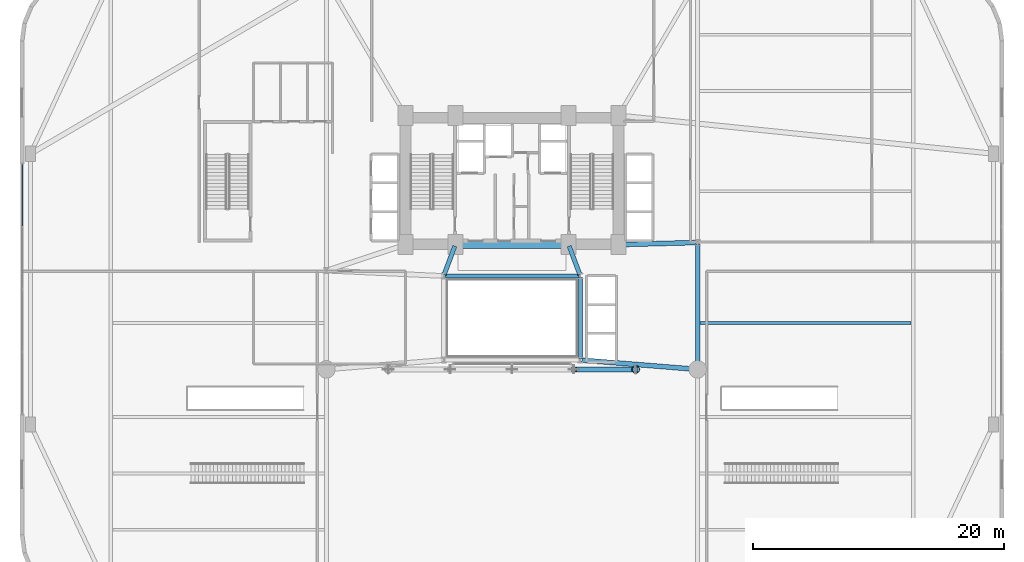
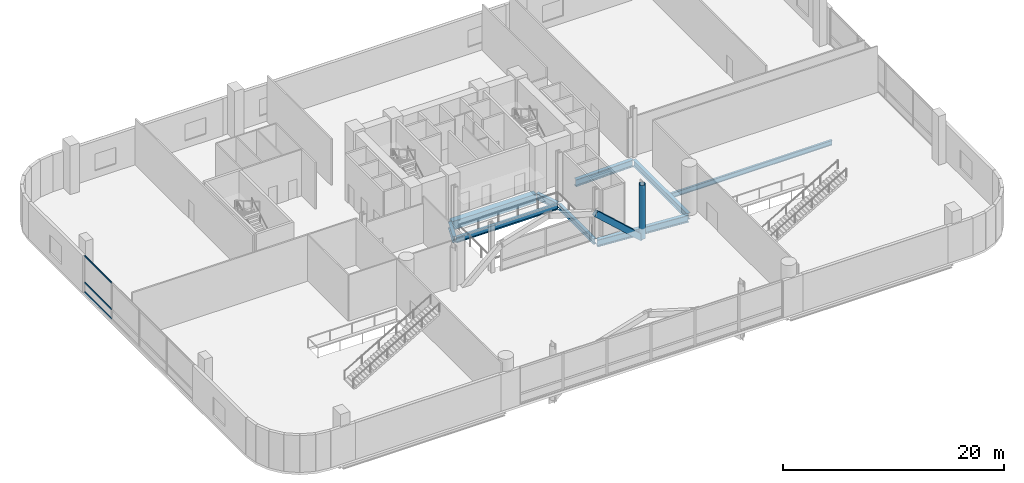
# One storey, part 16 of 36: 9 beams, 5 members, 1 element without a shape of its own.
"""IFC4 building model written with IfcOpenShell, lengths in metres."""

from ifc_helpers import new_model, si_unit, direction, frame, origin, origin_2d, place, context, subcontext, project, spatial, rectangle, hollow_rectangle, hollow_circle, i_section, extrude, material, layer, layer_set, material_profile, profile_set, type_object, element, aggregate, save


model = new_model("IFC4")

# Units and contexts
model_context = context("Model", 3, precision=1e-05, world=origin(), true_north=direction((0.0, 1.0)))
body_context = subcontext(model_context, "Body", "Model", "MODEL_VIEW")
ifc_project = project(units=[si_unit("LENGTHUNIT", "METRE"), si_unit("AREAUNIT", "SQUARE_METRE"), si_unit("VOLUMEUNIT", "CUBIC_METRE"), si_unit("PLANEANGLEUNIT", "RADIAN"), si_unit("MASSUNIT", "GRAM", prefix="KILO")], contexts=[model_context])

# Site, building, storey
site_placement = place(None, origin())
site = spatial("IfcSite", under=ifc_project, at=site_placement, CompositionType="ELEMENT")
building_placement = place(site_placement, origin())
building = spatial("IfcBuilding", under=site, at=building_placement, Name="Varnelok Gate Tower", CompositionType="ELEMENT")
storey_placement = place(building_placement, frame((0.0, 0.0, 10.800048828125)))
storey = spatial("IfcBuildingStorey", under=building, at=storey_placement, Name="L02", CompositionType="ELEMENT", Elevation=10.800048828125)

# Beams
ifc_material_1 = material(Name="Structural Steel ASTM A992 Grade 50", Category="steel")
ifc_material_profile_1 = material_profile(ifc_material_1, i_section(OverallWidth=0.2119140625, OverallDepth=0.5439453125, WebThickness=0.01318359375, FlangeThickness=0.021240234375, FilletRadius=0.01611328125, at=origin_2d()), Name="W21X83")
ifc_profile_set_1 = profile_set([ifc_material_profile_1], Name="Structural Steel ASTM A992 Grade 50")
beam_type_1 = type_object("IfcBeamType", Name="BM-JST-W21X83", PredefinedType="JOIST", material=ifc_profile_set_1)
beam_1_placement = place(storey_placement, frame((54.159912109375, 22.5, -0.552001953125), z_axis=(1.0, 0.0, 0.0), x_axis=(0.0, 1.0, 0.0)))
element("IfcBeam", 1, at=beam_1_placement, inside=storey, type_object=beam_type_1, Name="L02 Podium Floor Joist", PredefinedType="JOIST", context=body_context, shape_type="SweptSolid", body=[
    extrude(i_section(OverallWidth=0.2119140625, OverallDepth=0.5439453125, WebThickness=0.01318359375, FlangeThickness=0.021240234375, FilletRadius=0.01611328125, at=origin_2d()), origin(), (0.0, 0.0, 1.0), 16.880126953125),
])
ifc_material_2 = material(Name="Concrete C60/75", Category="concrete")
ifc_material_profile_2 = material_profile(ifc_material_2, rectangle(XDim=0.60009765625, YDim=0.949951171875, at=origin_2d()), Name="RC950X600")
ifc_profile_set_2 = profile_set([ifc_material_profile_2], Name="Concrete C60/75")
beam_type_2 = type_object("IfcBeamType", Name="BM-LNT-RC950", PredefinedType="LINTEL", material=ifc_profile_set_2)
beam_2_placement = place(storey_placement, frame((34.800048828125, 28.75, -0.755126953125), z_axis=(1.0, 0.0, 0.0), x_axis=(0.0, 1.0, 0.0)))
element("IfcBeam", 2, at=beam_2_placement, inside=storey, type_object=beam_type_2, Name="L02 Core-Atrium Spine Beam 7", PredefinedType="LINTEL", context=body_context, shape_type="SweptSolid", body=[
    extrude(rectangle(XDim=0.60009765625, YDim=0.949951171875, at=origin_2d()), origin(), (0.0, 0.0, 1.0), 8.800048828125),
])
ifc_material_profile_3 = material_profile(ifc_material_1, i_section(OverallWidth=0.35498046875, OverallDepth=0.696044921875, WebThickness=0.015380859375, FlangeThickness=0.02490234375, FilletRadius=0.02001953125, at=origin_2d()), Name="W27X146")
ifc_profile_set_3 = profile_set([ifc_material_profile_3], Name="Structural Steel ASTM A992 Grade 50")
beam_type_3 = type_object("IfcBeamType", Name="BM-PRI-W27X146", PredefinedType="BEAM", material=ifc_profile_set_3)
for number, where, z_axis, x_axis, name in (
    (3, (33.791748046875, 26.362548828125, -0.6279296875), (0.348719329408, 0.937227202602, 0.0), (-0.937227202602, 0.348719329408, 0.0), "L02 Core-Atrium Spine Beam 12"),
    (4, (44.608154296875, 26.362548828125, -0.6279296875), (-0.348719329408, 0.937227202602, 0.0), (-0.937227202602, -0.348719329408, 0.0), "L02 Core-Atrium Spine Beam 13"),
):
    element("IfcBeam", number, at=place(storey_placement, frame(where, z_axis=z_axis, x_axis=x_axis)), inside=storey, type_object=beam_type_3, Name=name, PredefinedType="BEAM", context=body_context, shape_type="SweptSolid", body=[
        extrude(i_section(OverallWidth=0.35498046875, OverallDepth=0.696044921875, WebThickness=0.015380859375, FlangeThickness=0.02490234375, FilletRadius=0.02001953125, at=origin_2d()), origin(), (0.0, 0.0, 1.0), 2.42724609375),
    ])
beam_3_placement = place(storey_placement, frame((54.0, 18.919921875, -0.6279296875), z_axis=(0.0, 1.0, 0.0), x_axis=(-1.0, 0.0, 0.0)))
element("IfcBeam", 5, at=beam_3_placement, inside=storey, type_object=beam_type_3, Name="L02 Core-Atrium Spine Beam 20", PredefinedType="BEAM", context=body_context, shape_type="SweptSolid", body=[
    extrude(i_section(OverallWidth=0.35498046875, OverallDepth=0.696044921875, WebThickness=0.015380859375, FlangeThickness=0.02490234375, FilletRadius=0.02001953125, at=origin_2d()), origin(), (0.0, 0.0, 1.0), 9.880126953125),
])
ifc_material_profile_4 = material_profile(ifc_material_1, i_section(OverallWidth=0.381103515625, OverallDepth=0.77294921875, WebThickness=0.0166015625, FlangeThickness=0.027099609375, FilletRadius=0.02197265625, at=origin_2d()), Name="W30X173")
ifc_profile_set_4 = profile_set([ifc_material_profile_4], Name="Structural Steel ASTM A992 Grade 50")
beam_type_4 = type_object("IfcBeamType", Name="BM-PRI-W30X173", PredefinedType="BEAM", material=ifc_profile_set_4)
beam_4_placement = place(storey_placement, frame((44.76953125, 19.540283203125, -0.66650390625), z_axis=(0.996799206292, -0.07994587128, 0.0), x_axis=(0.07994587128, 0.996799206292, 0.0)))
element("IfcBeam", 6, at=beam_4_placement, inside=storey, type_object=beam_type_4, Name="L02 Core-Atrium Spine Beam 18", PredefinedType="BEAM", context=body_context, shape_type="SweptSolid", body=[
    extrude(i_section(OverallWidth=0.381103515625, OverallDepth=0.77294921875, WebThickness=0.0166015625, FlangeThickness=0.027099609375, FilletRadius=0.02197265625, at=origin_2d()), origin(), (0.0, 0.0, 1.0), 9.14013671875),
])
beam_5_placement = place(storey_placement, frame((47.820068359375, 28.753173828125, -0.66650390625), z_axis=(0.999635880609, 0.026983443053, 0.0), x_axis=(-0.026983443053, 0.999635880609, 0.0)))
element("IfcBeam", 7, at=beam_5_placement, inside=storey, type_object=beam_type_4, Name="L02 Core-Atrium Spine Beam 19", PredefinedType="BEAM", context=body_context, shape_type="SweptSolid", body=[
    extrude(i_section(OverallWidth=0.381103515625, OverallDepth=0.77294921875, WebThickness=0.0166015625, FlangeThickness=0.027099609375, FilletRadius=0.02197265625, at=origin_2d()), origin(), (0.0, 0.0, 1.0), 6.06201171875),
])
ifc_material_profile_5 = material_profile(ifc_material_1, i_section(OverallWidth=0.323974609375, OverallDepth=0.611083984375, WebThickness=0.0126953125, FlangeThickness=0.01904296875, FilletRadius=0.01806640625, at=origin_2d()), Name="W24X104")
ifc_profile_set_5 = profile_set([ifc_material_profile_5], Name="Structural Steel ASTM A992 Grade 50")
beam_type_5 = type_object("IfcBeamType", Name="BM-SPN-W24X104", PredefinedType="SPANDREL", material=ifc_profile_set_5)
beam_6_placement = place(storey_placement, frame((33.8701171875, 26.25, -0.58544921875), z_axis=(1.0, 0.0, 0.0), x_axis=(0.0, 1.0, 0.0)))
element("IfcBeam", 8, at=beam_6_placement, inside=storey, type_object=beam_type_5, Name="L02 Core-Atrium Spine Beam 9", PredefinedType="SPANDREL", context=body_context, shape_type="SweptSolid", body=[
    extrude(i_section(OverallWidth=0.323974609375, OverallDepth=0.611083984375, WebThickness=0.0126953125, FlangeThickness=0.01904296875, FilletRadius=0.01806640625, at=origin_2d()), origin(), (0.0, 0.0, 1.0), 10.659912109375),
])
beam_7_placement = place(storey_placement, frame((44.64990234375, 19.669921875, -0.58544921875), z_axis=(0.0, 1.0, 0.0), x_axis=(-1.0, 0.0, 0.0)))
element("IfcBeam", 9, at=beam_7_placement, inside=storey, type_object=beam_type_5, Name="L02 Core-Atrium Spine Beam 11", PredefinedType="SPANDREL", context=body_context, shape_type="SweptSolid", body=[
    extrude(i_section(OverallWidth=0.323974609375, OverallDepth=0.611083984375, WebThickness=0.0126953125, FlangeThickness=0.01904296875, FilletRadius=0.01806640625, at=origin_2d()), origin(), (0.0, 0.0, 1.0), 6.4599609375),
])

# Curtain wall, members
ifc_material_3 = material(Name="Anodized Aluminum Alloy 6063-T6", Category="aluminium")
ifc_layer = layer(ifc_material_3, 0.179931640625)
ifc_layer_set = layer_set([ifc_layer], Name="Anodized Aluminum Alloy 6063-T6")
curtain_wall_type = type_object("IfcCurtainWallType", Name="CW1-ARCH-PORTAL", PredefinedType="USERDEFINED", material=ifc_layer_set)
curtain_wall_placement = place(storey_placement, origin())
curtain_wall = element("IfcCurtainWall", 10, at=curtain_wall_placement, inside=storey, type_object=curtain_wall_type, Name="L02 Podium Portal Curtain Wall W", ObjectType="UNITISED CURTAIN WALL", PredefinedType="USERDEFINED")
ifc_material_profile_6 = material_profile(ifc_material_3, hollow_rectangle(XDim=0.074951171875, YDim=0.199951171875, WallThickness=0.00390625, at=origin_2d()), Name="ALU200X75X4")
ifc_profile_set_6 = profile_set([ifc_material_profile_6], Name="Anodized Aluminum Alloy 6063-T6")
member_type_1 = type_object("IfcMemberType", Name="CW-TRAN-200", PredefinedType="USERDEFINED", material=ifc_profile_set_6)
member_1_placement = place(storey_placement, frame((0.159912109375, 30.237548828125, 0.037353515625), z_axis=(0.0, 1.0, 0.0), x_axis=(-1.0, 0.0, 0.0)))
member_1 = element("IfcMember", 11, at=member_1_placement, type_object=member_type_1, Name="CW1 transom 4.1", ObjectType="TRANSOM", PredefinedType="USERDEFINED", context=body_context, shape_type="SweptSolid", body=[
    extrude(hollow_rectangle(XDim=0.074951171875, YDim=0.199951171875, WallThickness=0.00390625, at=origin_2d()), origin(), (0.0, 0.0, 1.0), 4.887451171875),
])
member_2_placement = place(storey_placement, frame((0.159912109375, 30.237548828125, 1.099853515625), z_axis=(0.0, 1.0, 0.0), x_axis=(-1.0, 0.0, 0.0)))
member_2 = element("IfcMember", 12, at=member_2_placement, type_object=member_type_1, Name="CW1 transom 4.2", ObjectType="TRANSOM", PredefinedType="USERDEFINED", context=body_context, shape_type="SweptSolid", body=[
    extrude(hollow_rectangle(XDim=0.074951171875, YDim=0.199951171875, WallThickness=0.00390625, at=origin_2d()), origin(), (0.0, 0.0, 1.0), 4.887451171875),
])
member_3_placement = place(storey_placement, frame((0.159912109375, 30.237548828125, 4.032470703125), z_axis=(0.0, 1.0, 0.0), x_axis=(-1.0, 0.0, 0.0)))
member_3 = element("IfcMember", 13, at=member_3_placement, type_object=member_type_1, Name="CW1 transom 4.3", ObjectType="TRANSOM", PredefinedType="USERDEFINED", context=body_context, shape_type="SweptSolid", body=[
    extrude(hollow_rectangle(XDim=0.074951171875, YDim=0.199951171875, WallThickness=0.00390625, at=origin_2d()), origin(), (0.0, 0.0, 1.0), 4.887451171875),
])
aggregate(curtain_wall, [member_1, member_2, member_3])

# Members
ifc_material_4 = material(Name="Structural Steel ASTM A572 Grade 50", Category="steel")
ifc_material_profile_7 = material_profile(ifc_material_4, hollow_rectangle(XDim=0.39990234375, YDim=0.60009765625, WallThickness=0.02490234375, at=origin_2d()), Name="HSS600X400X25")
ifc_profile_set_7 = profile_set([ifc_material_profile_7], Name="Structural Steel ASTM A572 Grade 50")
member_type_2 = type_object("IfcMemberType", Name="MEM-ARCH-CHORD", PredefinedType="CHORD", material=ifc_profile_set_7)
member_4_placement = place(storey_placement, frame((44.13330078125, 18.800048828125, 3.29345703125), z_axis=(0.741782714935, 0.0, -0.670640293916), x_axis=(0.0, 1.0, 0.0)))
element("IfcMember", 14, at=member_4_placement, inside=storey, type_object=member_type_2, Name="Giant Arch Inner Chord Rib 5", PredefinedType="CHORD", context=body_context, shape_type="SweptSolid", body=[
    extrude(hollow_rectangle(XDim=0.39990234375, YDim=0.60009765625, WallThickness=0.02490234375, at=origin_2d()), origin(), (0.0, 0.0, 1.0), 6.650634765625),
])
ifc_material_profile_8 = material_profile(ifc_material_4, hollow_circle(Radius=0.304931640625, WallThickness=0.02490234375, at=origin_2d()), Name="CHS610X25")
ifc_profile_set_8 = profile_set([ifc_material_profile_8], Name="Structural Steel ASTM A572 Grade 50")
member_type_3 = type_object("IfcMemberType", Name="MEM-ARCH-DIAG", PredefinedType="BRACE", material=ifc_profile_set_8)
member_5_placement = place(storey_placement, frame((49.066650390625, 18.800048828125, -1.166748046875), z_axis=(0.0, 0.0, 1.0), x_axis=(1.0, 0.0, 0.0)))
element("IfcMember", 15, at=member_5_placement, inside=storey, type_object=member_type_3, Name="Giant Arch Spandrel Strut Inner 5", PredefinedType="BRACE", context=body_context, shape_type="SweptSolid", body=[
    extrude(hollow_circle(Radius=0.304931640625, WallThickness=0.02490234375, at=origin_2d()), origin(), (0.0, 0.0, 1.0), 5.966796875),
])

save(model, "model.ifc")
